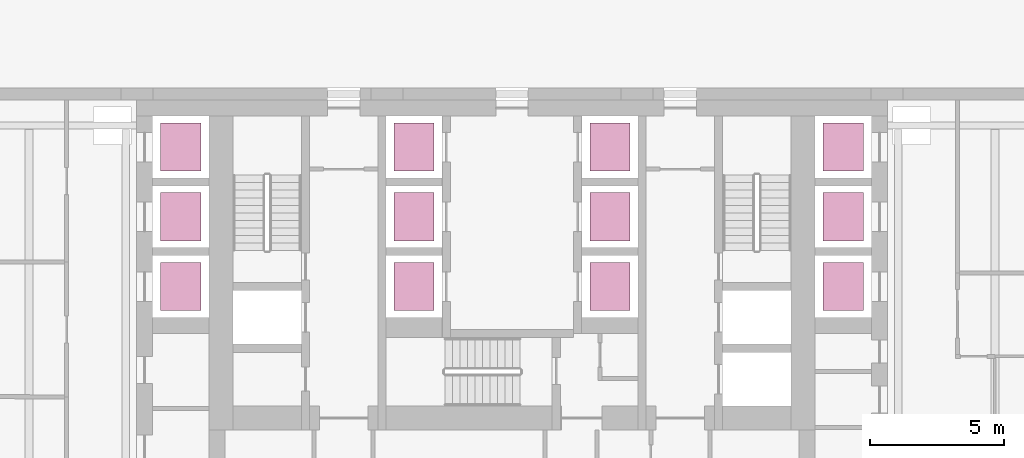
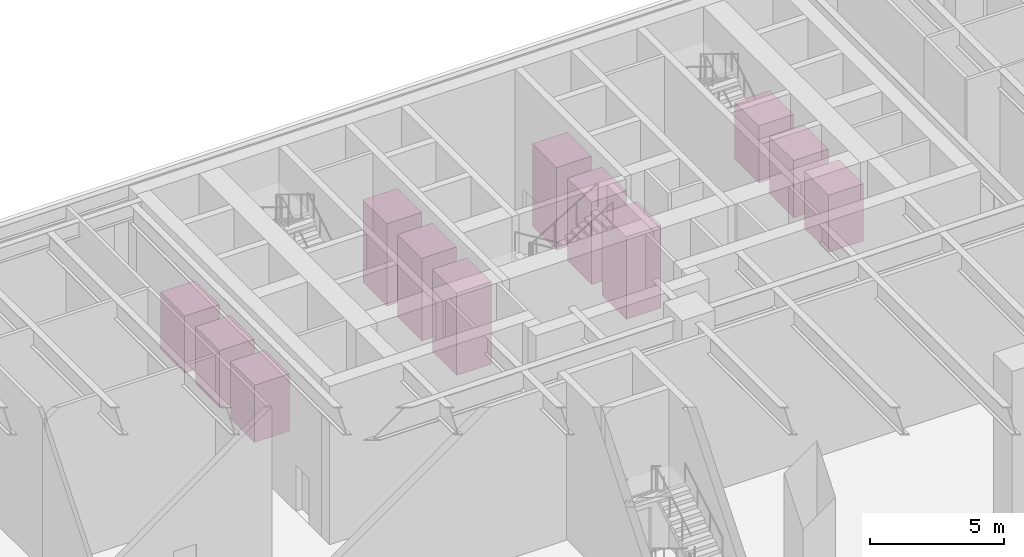
# One storey, part 37 of 37: 12 transport elements.
"""IFC4 building model written with IfcOpenShell, lengths in metres."""

from ifc_helpers import new_model, si_unit, direction, frame, origin, origin_2d, place, context, subcontext, project, spatial, rectangle, extrude, material, type_object, element, save


model = new_model("IFC4")

# Units and contexts
model_context = context("Model", 3, precision=1e-05, world=origin(), true_north=direction((0.0, 1.0)))
body_context = subcontext(model_context, "Body", "Model", "MODEL_VIEW")
ifc_project = project(units=[si_unit("LENGTHUNIT", "METRE"), si_unit("AREAUNIT", "SQUARE_METRE"), si_unit("VOLUMEUNIT", "CUBIC_METRE"), si_unit("PLANEANGLEUNIT", "RADIAN"), si_unit("MASSUNIT", "GRAM", prefix="KILO")], contexts=[model_context])

# Site, building, storey
site_placement = place(None, origin())
site = spatial("IfcSite", under=ifc_project, at=site_placement, CompositionType="ELEMENT")
building_placement = place(site_placement, origin())
building = spatial("IfcBuilding", under=site, at=building_placement, Name="Aloe Facet Convention Tower", CompositionType="ELEMENT")
storey_placement = place(building_placement, origin())
storey = spatial("IfcBuildingStorey", under=building, at=storey_placement, Name="L00", CompositionType="ELEMENT", Elevation=0.0)

# Transport elements
ifc_material_1 = material(Name="Stainless steel lift car", Category="steel")
transport_element_type_1 = type_object("IfcTransportElementType", Name="CR-LIFT-A-1800x1500", PredefinedType="ELEVATOR", material=ifc_material_1)
for number, where, z_axis, x_axis, name in (
    (1, (76.35009765625, 132.800048828125, 0.0), (0.0, 0.0, 1.0), (1.0, 0.0, 0.0), "Lift A1"),
    (2, (76.35009765625, 130.199951171875, 0.0), (0.0, 0.0, 1.0), (1.0, 0.0, 0.0), "Lift A2"),
    (3, (76.35009765625, 127.60009765625, 0.0), (0.0, 0.0, 1.0), (1.0, 0.0, 0.0), "Lift A3"),
    (4, (83.64990234375, 132.800048828125, 0.0), (0.0, 0.0, 1.0), (1.0, 0.0, 0.0), "Lift A4"),
    (5, (83.64990234375, 130.199951171875, 0.0), (0.0, 0.0, 1.0), (1.0, 0.0, 0.0), "Lift A5"),
    (6, (83.64990234375, 127.60009765625, 0.0), (0.0, 0.0, 1.0), (1.0, 0.0, 0.0), "Lift A6"),
):
    element("IfcTransportElement", number, at=place(storey_placement, frame(where, z_axis=z_axis, x_axis=x_axis)), inside=storey, type_object=transport_element_type_1, Name=name, PredefinedType="ELEVATOR", context=body_context, shape_type="SweptSolid", body=[
        extrude(rectangle(XDim=1.5, YDim=1.800048828125, at=origin_2d()), origin(), (0.0, 0.0, 1.0), 3.75),
    ])
for number, where, z_axis, x_axis, name in (
    (7, (67.64990234375, 132.800048828125, 0.0), (0.0, 0.0, 1.0), (1.0, 0.0, 0.0), "Lift A7"),
    (8, (92.35009765625, 132.800048828125, 0.0), (0.0, 0.0, 1.0), (1.0, 0.0, 0.0), "Lift A8"),
):
    element("IfcTransportElement", number, at=place(storey_placement, frame(where, z_axis=z_axis, x_axis=x_axis)), inside=storey, type_object=transport_element_type_1, Name=name, PredefinedType="ELEVATOR", context=body_context, shape_type="SweptSolid", body=[
        extrude(rectangle(XDim=1.5, YDim=1.800048828125, at=origin_2d()), origin(), (0.0, 0.0, 1.0), 2.60009765625),
    ])
ifc_material_2 = material(Name="Stainless steel lift car", Category="steel")
transport_element_type_2 = type_object("IfcTransportElementType", Name="CR-LIFT-SHUTTLE-1800x1500", PredefinedType="ELEVATOR", material=ifc_material_2)
for number, where, z_axis, x_axis, name in (
    (9, (67.64990234375, 130.199951171875, 0.0), (0.0, 0.0, 1.0), (1.0, 0.0, 0.0), "Lift SH1"),
    (10, (67.64990234375, 127.60009765625, 0.0), (0.0, 0.0, 1.0), (1.0, 0.0, 0.0), "Lift SH2"),
    (11, (92.35009765625, 130.199951171875, 0.0), (0.0, 0.0, 1.0), (1.0, 0.0, 0.0), "Lift SH3"),
    (12, (92.35009765625, 127.60009765625, 0.0), (0.0, 0.0, 1.0), (1.0, 0.0, 0.0), "Lift SH4"),
):
    element("IfcTransportElement", number, at=place(storey_placement, frame(where, z_axis=z_axis, x_axis=x_axis)), inside=storey, type_object=transport_element_type_2, Name=name, PredefinedType="ELEVATOR", context=body_context, shape_type="SweptSolid", body=[
        extrude(rectangle(XDim=1.5, YDim=1.800048828125, at=origin_2d()), origin(), (0.0, 0.0, 1.0), 2.60009765625),
    ])

save(model, "model.ifc")
